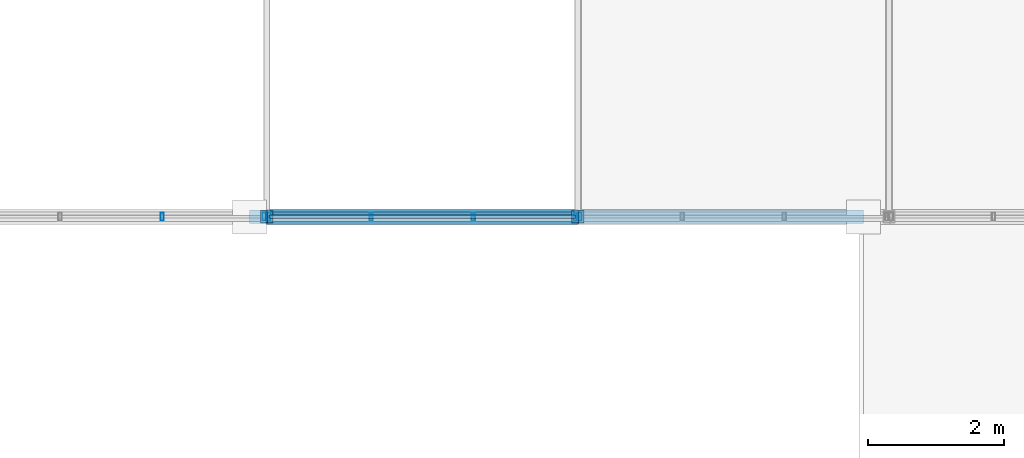
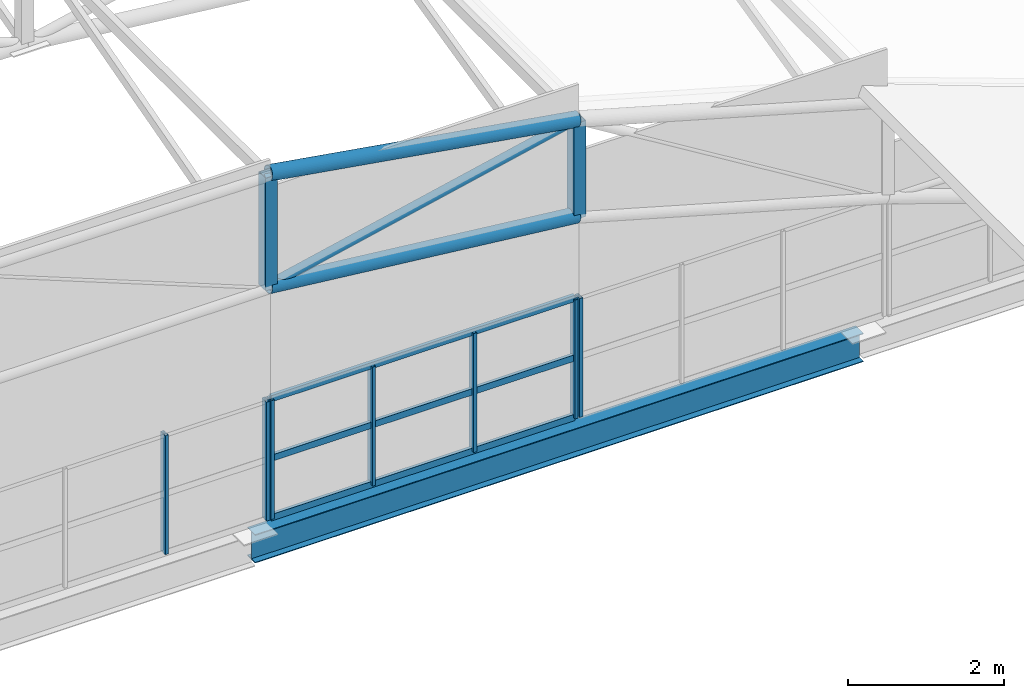
# One storey, part 63 of 101: 15 members, 1 beam, 3 elements without a shape of their own.
"""IFC4 building model written with IfcOpenShell, lengths in metres."""

from ifc_helpers import new_model, si_unit, direction, frame, origin, origin_2d, place, context, subcontext, project, spatial, hollow_rectangle, hollow_circle, i_section, extrude, material, material_profile, profile_set, type_object, element, aggregate, save


model = new_model("IFC4")

# Units and contexts
model_context = context("Model", 3, precision=1e-05, world=origin(), true_north=direction((0.0, 1.0)))
body_context = subcontext(model_context, "Body", "Model", "MODEL_VIEW")
ifc_project = project(units=[si_unit("LENGTHUNIT", "METRE"), si_unit("AREAUNIT", "SQUARE_METRE"), si_unit("VOLUMEUNIT", "CUBIC_METRE"), si_unit("PLANEANGLEUNIT", "RADIAN"), si_unit("MASSUNIT", "GRAM", prefix="KILO")], contexts=[model_context])

# Site, building, storey
site_placement = place(None, origin())
site = spatial("IfcSite", under=ifc_project, at=site_placement, CompositionType="ELEMENT")
building_placement = place(site_placement, origin())
building = spatial("IfcBuilding", under=site, at=building_placement, Name="Solvikara Media Centre", CompositionType="ELEMENT")
storey_placement = place(building_placement, frame((0.0, 0.0, 10.199951171875)))
storey = spatial("IfcBuildingStorey", under=building, at=storey_placement, Name="L02", CompositionType="ELEMENT", Elevation=10.199951171875)

# Beam
ifc_material_1 = material(Name="Steel S355JR", Category="steel")
ifc_material_profile_1 = material_profile(ifc_material_1, i_section(OverallWidth=0.198974609375, OverallDepth=0.446044921875, WebThickness=0.008056640625, FlangeThickness=0.011962890625, at=origin_2d()), Name="H 446x199x8x12")
ifc_profile_set_1 = profile_set([ifc_material_profile_1], Name="Steel S355JR")
beam_type = type_object("IfcBeamType", Name="BM-43", PredefinedType="BEAM", material=ifc_profile_set_1)
beam_placement = place(storey_placement, frame((145.5, 89.0, -0.322998046875), z_axis=(1.0, 0.0, 0.0), x_axis=(0.0, 1.0, 0.0)))
element("IfcBeam", 1, at=beam_placement, inside=storey, type_object=beam_type, Name="B-L02-X0895", PredefinedType="BEAM", context=body_context, shape_type="SweptSolid", body=[
    extrude(i_section(OverallWidth=0.198974609375, OverallDepth=0.446044921875, WebThickness=0.008056640625, FlangeThickness=0.011962890625, at=origin_2d()), origin(), (0.0, 0.0, 1.0), 9.0),
])

# Members
ifc_material_profile_2 = material_profile(ifc_material_1, hollow_circle(Radius=0.109619140625, WallThickness=0.008056640625, at=origin_2d()), Name="CHS 219.1x8")
ifc_profile_set_2 = profile_set([ifc_material_profile_2], Name="Steel S355JR")
member_type_1 = type_object("IfcMemberType", Name="MB-05", PredefinedType="CHORD", material=ifc_profile_set_2)
member_1_placement = place(storey_placement, frame((145.75, 89.0, 5.41015625), z_axis=(0.986711742418, 0.0, -0.162480575373), x_axis=(0.0, 1.0, 0.0)))
element("IfcMember", 2, at=member_1_placement, inside=storey, type_object=member_type_1, Name="BSB-TC-00-04", PredefinedType="CHORD", context=body_context, shape_type="SweptSolid", body=[
    extrude(hollow_circle(Radius=0.109619140625, WallThickness=0.008056640625, at=origin_2d()), origin(), (0.0, 0.0, 1.0), 4.62353515625),
])
member_2_placement = place(storey_placement, frame((145.75, 89.0, 3.650146484375), z_axis=(0.994253057295, 0.0, -0.107055397157), x_axis=(0.0, 1.0, 0.0)))
element("IfcMember", 3, at=member_2_placement, inside=storey, type_object=member_type_1, Name="BSB-BC-00-04", PredefinedType="CHORD", context=body_context, shape_type="SweptSolid", body=[
    extrude(hollow_circle(Radius=0.109619140625, WallThickness=0.008056640625, at=origin_2d()), origin(), (0.0, 0.0, 1.0), 4.58837890625),
])
ifc_material_profile_3 = material_profile(ifc_material_1, hollow_circle(Radius=0.06982421875, WallThickness=0.00634765625, at=origin_2d()), Name="CHS 139.7x6.3")
ifc_profile_set_3 = profile_set([ifc_material_profile_3], Name="Steel S355JR")
member_type_2 = type_object("IfcMemberType", Name="MB-08", PredefinedType="BRACE", material=ifc_profile_set_3)
member_3_placement = place(storey_placement, frame((145.75, 89.0, 3.650146484375), z_axis=(0.976412757167, 0.0, 0.215912314707), x_axis=(0.0, 1.0, 0.0)))
element("IfcMember", 4, at=member_3_placement, inside=storey, type_object=member_type_2, Name="BSB-DG-00-04", PredefinedType="BRACE", context=body_context, shape_type="SweptSolid", body=[
    extrude(hollow_circle(Radius=0.06982421875, WallThickness=0.00634765625, at=origin_2d()), origin(), (0.0, 0.0, 1.0), 4.672119140625),
])
ifc_material_profile_4 = material_profile(ifc_material_1, hollow_rectangle(XDim=0.179931640625, YDim=0.179931640625, WallThickness=0.008056640625, at=origin_2d()), Name="RHS 180x180x8")
ifc_profile_set_4 = profile_set([ifc_material_profile_4], Name="Steel S355JR")
member_type_3 = type_object("IfcMemberType", Name="MB-14", PredefinedType="BRACE", material=ifc_profile_set_4)
member_4_placement = place(storey_placement, frame((145.75, 89.0, 3.650146484375), z_axis=(0.0, 0.0, 1.0), x_axis=(1.0, 0.0, 0.0)))
element("IfcMember", 5, at=member_4_placement, inside=storey, type_object=member_type_3, Name="BSB-VT-00-04", PredefinedType="BRACE", context=body_context, shape_type="SweptSolid", body=[
    extrude(hollow_rectangle(XDim=0.179931640625, YDim=0.179931640625, WallThickness=0.008056640625, at=origin_2d()), origin(), (0.0, 0.0, 1.0), 1.760009765625),
])
member_5_placement = place(storey_placement, frame((150.31201171875, 89.0, 3.158935546875), z_axis=(0.0, 0.0, 1.0), x_axis=(1.0, 0.0, 0.0)))
element("IfcMember", 6, at=member_5_placement, inside=storey, type_object=member_type_3, Name="BSB-VT-00-05", PredefinedType="BRACE", context=body_context, shape_type="SweptSolid", body=[
    extrude(hollow_rectangle(XDim=0.179931640625, YDim=0.179931640625, WallThickness=0.008056640625, at=origin_2d()), origin(), (0.0, 0.0, 1.0), 1.5),
])

# Curtain wall, members
ifc_material_2 = material(Name="Anodised aluminium EN AW-6063", Category="aluminium")
curtain_wall_type = type_object("IfcCurtainWallType", Name="CW-12", PredefinedType="NOTDEFINED", material=ifc_material_2)
curtain_wall_1_placement = place(storey_placement, origin())
curtain_wall_1 = element("IfcCurtainWall", 7, at=curtain_wall_1_placement, inside=storey, type_object=curtain_wall_type, Name="CW-BSBS-CLR-03", PredefinedType="NOTDEFINED")
ifc_material_profile_5 = material_profile(ifc_material_2, hollow_rectangle(XDim=0.050048828125, YDim=0.1201171875, WallThickness=0.0029296875, at=origin_2d()), Name="ALU-M 50x120x3")
ifc_profile_set_5 = profile_set([ifc_material_profile_5], Name="Anodised aluminium EN AW-6063")
member_type_4 = type_object("IfcMemberType", Name="MF-06", PredefinedType="MULLION", material=ifc_profile_set_5)
member_6_placement = place(storey_placement, frame((144.218017578125, 89.0, 0.02001953125), z_axis=(0.0, 0.0, 1.0), x_axis=(1.0, 0.0, 0.0)))
member_6 = element("IfcMember", 8, at=member_6_placement, type_object=member_type_4, Name="CW-BSBS-CLR-03-M02", PredefinedType="MULLION", context=body_context, shape_type="SweptSolid", body=[
    extrude(hollow_rectangle(XDim=0.050048828125, YDim=0.1201171875, WallThickness=0.0029296875, at=origin_2d()), origin(), (0.0, 0.0, 1.0), 1.860107421875),
])
member_7_placement = place(storey_placement, frame((145.715087890625, 89.0, 0.02001953125), z_axis=(0.0, 0.0, 1.0), x_axis=(1.0, 0.0, 0.0)))
member_7 = element("IfcMember", 9, at=member_7_placement, type_object=member_type_4, Name="CW-BSBS-CLR-03-M03", PredefinedType="MULLION", context=body_context, shape_type="SweptSolid", body=[
    extrude(hollow_rectangle(XDim=0.050048828125, YDim=0.1201171875, WallThickness=0.0029296875, at=origin_2d()), origin(), (0.0, 0.0, 1.0), 1.860107421875),
])
aggregate(curtain_wall_1, [member_6, member_7])

curtain_wall_2_placement = place(storey_placement, origin())
curtain_wall_2 = element("IfcCurtainWall", 10, at=curtain_wall_2_placement, inside=storey, type_object=curtain_wall_type, Name="CW-BSBS-CLR-04", PredefinedType="NOTDEFINED")
member_8_placement = place(storey_placement, frame((145.784912109375, 89.0, 0.02001953125), z_axis=(0.0, 0.0, 1.0), x_axis=(1.0, 0.0, 0.0)))
member_8 = element("IfcMember", 11, at=member_8_placement, type_object=member_type_4, Name="CW-BSBS-CLR-04-M00", PredefinedType="MULLION", context=body_context, shape_type="SweptSolid", body=[
    extrude(hollow_rectangle(XDim=0.050048828125, YDim=0.1201171875, WallThickness=0.0029296875, at=origin_2d()), origin(), (0.0, 0.0, 1.0), 1.860107421875),
])
member_9_placement = place(storey_placement, frame((147.281982421875, 89.0, 0.02001953125), z_axis=(0.0, 0.0, 1.0), x_axis=(1.0, 0.0, 0.0)))
member_9 = element("IfcMember", 12, at=member_9_placement, type_object=member_type_4, Name="CW-BSBS-CLR-04-M01", PredefinedType="MULLION", context=body_context, shape_type="SweptSolid", body=[
    extrude(hollow_rectangle(XDim=0.050048828125, YDim=0.1201171875, WallThickness=0.0029296875, at=origin_2d()), origin(), (0.0, 0.0, 1.0), 1.860107421875),
])
member_10_placement = place(storey_placement, frame((148.780029296875, 89.0, 0.02001953125), z_axis=(0.0, 0.0, 1.0), x_axis=(1.0, 0.0, 0.0)))
member_10 = element("IfcMember", 13, at=member_10_placement, type_object=member_type_4, Name="CW-BSBS-CLR-04-M02", PredefinedType="MULLION", context=body_context, shape_type="SweptSolid", body=[
    extrude(hollow_rectangle(XDim=0.050048828125, YDim=0.1201171875, WallThickness=0.0029296875, at=origin_2d()), origin(), (0.0, 0.0, 1.0), 1.860107421875),
])
member_11_placement = place(storey_placement, frame((150.277099609375, 89.0, 0.02001953125), z_axis=(0.0, 0.0, 1.0), x_axis=(1.0, 0.0, 0.0)))
member_11 = element("IfcMember", 14, at=member_11_placement, type_object=member_type_4, Name="CW-BSBS-CLR-04-M03", PredefinedType="MULLION", context=body_context, shape_type="SweptSolid", body=[
    extrude(hollow_rectangle(XDim=0.050048828125, YDim=0.1201171875, WallThickness=0.0029296875, at=origin_2d()), origin(), (0.0, 0.0, 1.0), 1.860107421875),
])

# Curtain wall, member
curtain_wall_3_placement = place(storey_placement, origin())
curtain_wall_3 = element("IfcCurtainWall", 15, at=curtain_wall_3_placement, inside=storey, type_object=curtain_wall_type, Name="CW-BSBS-CLR-05", PredefinedType="NOTDEFINED")
member_12_placement = place(storey_placement, frame((150.346923828125, 89.0, 0.02001953125), z_axis=(0.0, 0.0, 1.0), x_axis=(1.0, 0.0, 0.0)))
member_12 = element("IfcMember", 16, at=member_12_placement, type_object=member_type_4, Name="CW-BSBS-CLR-05-M00", PredefinedType="MULLION", context=body_context, shape_type="SweptSolid", body=[
    extrude(hollow_rectangle(XDim=0.050048828125, YDim=0.1201171875, WallThickness=0.0029296875, at=origin_2d()), origin(), (0.0, 0.0, 1.0), 1.860107421875),
])
aggregate(curtain_wall_3, [member_12])

# Member
ifc_material_profile_6 = material_profile(ifc_material_2, hollow_rectangle(XDim=0.050048828125, YDim=0.10009765625, WallThickness=0.0029296875, at=origin_2d()), Name="ALU-T 50x100x3")
ifc_profile_set_6 = profile_set([ifc_material_profile_6], Name="Anodised aluminium EN AW-6063")
member_type_5 = type_object("IfcMemberType", Name="MF-12", PredefinedType="USERDEFINED", material=ifc_profile_set_6)
member_13_placement = place(storey_placement, frame((145.784912109375, 89.0, 0.02001953125), z_axis=(1.0, 0.0, 0.0), x_axis=(0.0, 1.0, 0.0)))
member_13 = element("IfcMember", 17, at=member_13_placement, type_object=member_type_5, Name="CW-BSBS-CLR-04-T00", ObjectType="TRANSOM", PredefinedType="USERDEFINED", context=body_context, shape_type="SweptSolid", body=[
    extrude(hollow_rectangle(XDim=0.050048828125, YDim=0.10009765625, WallThickness=0.0029296875, at=origin_2d()), origin(), (0.0, 0.0, 1.0), 4.4921875),
])

member_14_placement = place(storey_placement, frame((145.784912109375, 89.0, 0.949951171875), z_axis=(1.0, 0.0, 0.0), x_axis=(0.0, 1.0, 0.0)))
member_14 = element("IfcMember", 18, at=member_14_placement, type_object=member_type_5, Name="CW-BSBS-CLR-04-T01", ObjectType="TRANSOM", PredefinedType="USERDEFINED", context=body_context, shape_type="SweptSolid", body=[
    extrude(hollow_rectangle(XDim=0.050048828125, YDim=0.10009765625, WallThickness=0.0029296875, at=origin_2d()), origin(), (0.0, 0.0, 1.0), 4.4921875),
])

member_15_placement = place(storey_placement, frame((145.784912109375, 89.0, 1.880126953125), z_axis=(1.0, 0.0, 0.0), x_axis=(0.0, 1.0, 0.0)))
member_15 = element("IfcMember", 19, at=member_15_placement, type_object=member_type_5, Name="CW-BSBS-CLR-04-T02", ObjectType="TRANSOM", PredefinedType="USERDEFINED", context=body_context, shape_type="SweptSolid", body=[
    extrude(hollow_rectangle(XDim=0.050048828125, YDim=0.10009765625, WallThickness=0.0029296875, at=origin_2d()), origin(), (0.0, 0.0, 1.0), 4.4921875),
])

aggregate(curtain_wall_2, [member_8, member_9, member_10, member_11, member_13, member_14, member_15])

save(model, "model.ifc")
